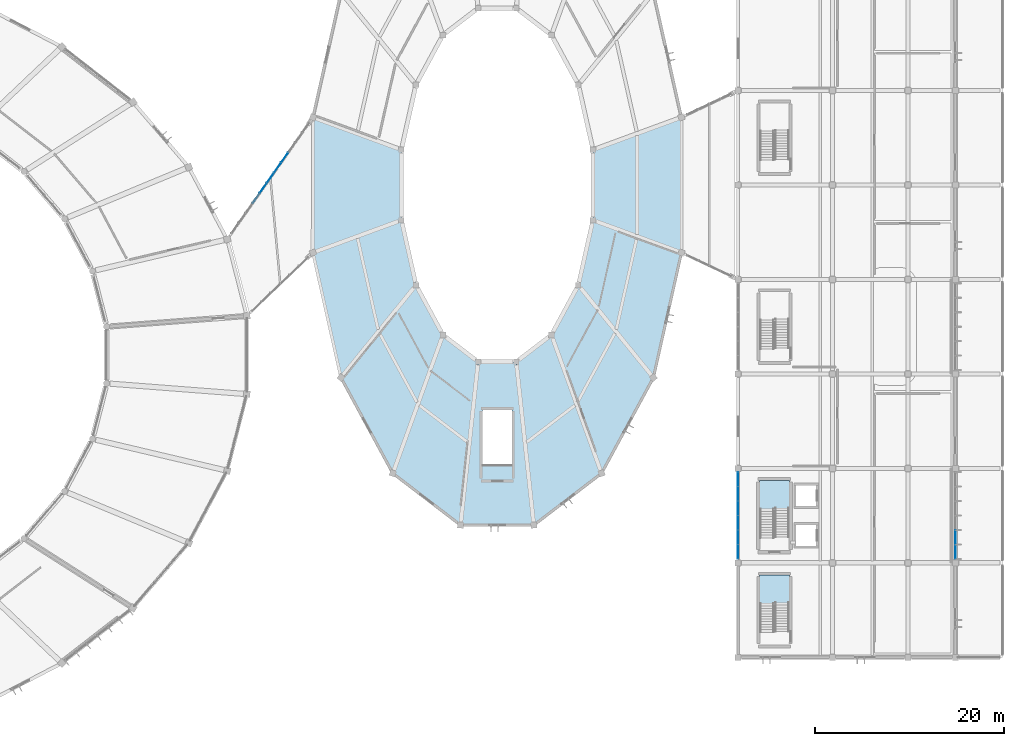
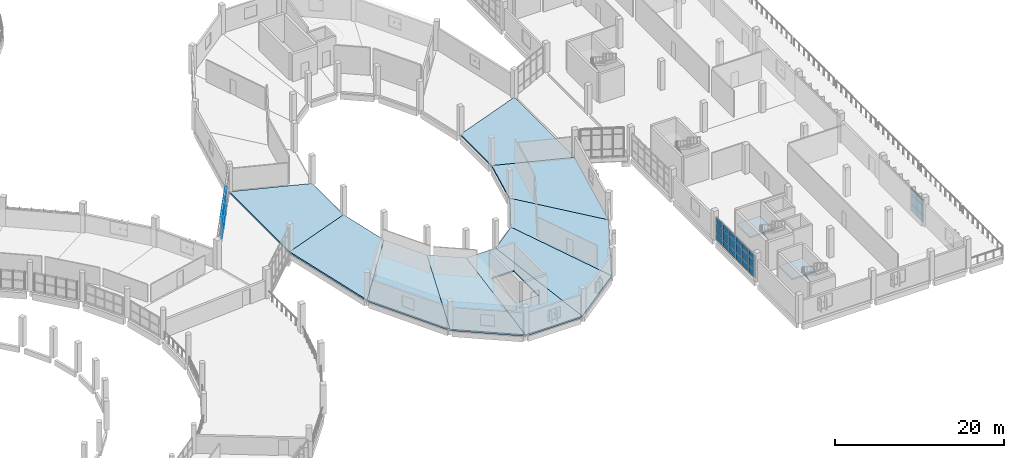
# One storey, part 87 of 142: 37 plates, 11 slabs, 5 elements without a shape of their own.
"""IFC4 building model written with IfcOpenShell, lengths in metres."""

from ifc_helpers import new_model, si_unit, direction, frame, origin, origin_2d, place, context, subcontext, project, spatial, polyline, rectangle, outline, extrude, material, layer, layer_set, type_object, element, aggregate, save


model = new_model("IFC4")

# Units and contexts
model_context = context("Model", 3, precision=1e-05, world=origin(), true_north=direction((0.0, 1.0)))
body_context = subcontext(model_context, "Body", "Model", "MODEL_VIEW")
ifc_project = project(units=[si_unit("LENGTHUNIT", "METRE"), si_unit("AREAUNIT", "SQUARE_METRE"), si_unit("VOLUMEUNIT", "CUBIC_METRE"), si_unit("PLANEANGLEUNIT", "RADIAN"), si_unit("MASSUNIT", "GRAM", prefix="KILO")], contexts=[model_context])

# Site, building, storey
site_placement = place(None, origin())
site = spatial("IfcSite", under=ifc_project, at=site_placement, CompositionType="ELEMENT")
building_placement = place(site_placement, origin())
building = spatial("IfcBuilding", under=site, at=building_placement, Name="Corvandel Quay Wholesale Market", CompositionType="ELEMENT")
storey_placement = place(building_placement, frame((0.0, 0.0, 10.800048828125)))
storey = spatial("IfcBuildingStorey", under=building, at=storey_placement, Name="L02", CompositionType="ELEMENT", Elevation=10.800048828125)

# Curtain wall, plates
ifc_material_1 = material(Name="Bronze anodised aluminium and low-E insulated glazing", Category="aluminium")
ifc_layer_1 = layer(ifc_material_1, 0.197998046875)
ifc_layer_set_1 = layer_set([ifc_layer_1], Name="Bronze anodised aluminium and low-E insulated glazing")
curtain_wall_type_1 = type_object("IfcCurtainWallType", Name="Stick Curtain Wall System CW14 H4260", PredefinedType="NOTDEFINED", material=ifc_layer_set_1)
curtain_wall_1_placement = place(storey_placement, origin())
curtain_wall_1 = element("IfcCurtainWall", 1, at=curtain_wall_1_placement, inside=storey, type_object=curtain_wall_type_1, Name="Curtain Wall CW-0156", PredefinedType="NOTDEFINED")
ifc_material_2 = material(Name="Solar-control low-E insulated glazing", Category="glass")
ifc_layer_2 = layer(ifc_material_2, 0.0400390625)
ifc_layer_set_2 = layer_set([ifc_layer_2], Name="Solar-control low-E insulated glazing")
plate_type_1 = type_object("IfcPlateType", Name="Ceramic Fritted Spandrel Panel PN03 40mm", PredefinedType="CURTAIN_PANEL", material=ifc_layer_set_2)
plate_1_placement = place(storey_placement, frame((243.0, 21.166748046875, 2.530029296875), z_axis=(0.0, 0.0, 1.0), x_axis=(0.0, 1.0, 0.0)))
plate_1 = element("IfcPlate", 2, at=plate_1_placement, type_object=plate_type_1, Name="Glazing Panel CW-0156-P00-2", PredefinedType="CURTAIN_PANEL", context=body_context, shape_type="SweptSolid", body=[
    extrude(rectangle(XDim=1.46826171875, YDim=0.0400390625, at=origin_2d()), origin(), (0.0, 0.0, 1.0), 0.7900390625),
])
plate_2_placement = place(storey_placement, frame((243.0, 22.699951171875, 2.530029296875), z_axis=(0.0, 0.0, 1.0), x_axis=(0.0, 1.0, 0.0)))
plate_2 = element("IfcPlate", 3, at=plate_2_placement, type_object=plate_type_1, Name="Glazing Panel CW-0156-P01-2", PredefinedType="CURTAIN_PANEL", context=body_context, shape_type="SweptSolid", body=[
    extrude(rectangle(XDim=1.46826171875, YDim=0.0400390625, at=origin_2d()), origin(), (0.0, 0.0, 1.0), 0.7900390625),
])

ifc_layer_3 = layer(ifc_material_1, 0.14990234375)
ifc_layer_set_3 = layer_set([ifc_layer_3], Name="Bronze anodised aluminium and low-E insulated glazing")
curtain_wall_type_2 = type_object("IfcCurtainWallType", Name="Stick Curtain Wall System CW20 H4800", PredefinedType="NOTDEFINED", material=ifc_layer_set_3)
curtain_wall_2_placement = place(storey_placement, origin())
curtain_wall_2 = element("IfcCurtainWall", 4, at=curtain_wall_2_placement, inside=storey, type_object=curtain_wall_type_2, Name="Curtain Wall CW-0157", PredefinedType="NOTDEFINED")
plate_3_placement = place(storey_placement, frame((220.0, 21.166748046875, 2.530029296875), z_axis=(0.0, 0.0, 1.0), x_axis=(0.0, 1.0, 0.0)))
plate_3 = element("IfcPlate", 5, at=plate_3_placement, type_object=plate_type_1, Name="Glazing Panel CW-0157-P00-2", PredefinedType="CURTAIN_PANEL", context=body_context, shape_type="SweptSolid", body=[
    extrude(rectangle(XDim=1.46826171875, YDim=0.0400390625, at=origin_2d()), origin(), (0.0, 0.0, 1.0), 0.7900390625),
])
plate_4_placement = place(storey_placement, frame((220.0, 22.699951171875, 2.530029296875), z_axis=(0.0, 0.0, 1.0), x_axis=(0.0, 1.0, 0.0)))
plate_4 = element("IfcPlate", 6, at=plate_4_placement, type_object=plate_type_1, Name="Glazing Panel CW-0157-P01-2", PredefinedType="CURTAIN_PANEL", context=body_context, shape_type="SweptSolid", body=[
    extrude(rectangle(XDim=1.46826171875, YDim=0.0400390625, at=origin_2d()), origin(), (0.0, 0.0, 1.0), 0.7900390625),
])
plate_5_placement = place(storey_placement, frame((220.0, 24.2333984375, 2.530029296875), z_axis=(0.0, 0.0, 1.0), x_axis=(0.0, 1.0, 0.0)))
plate_5 = element("IfcPlate", 7, at=plate_5_placement, type_object=plate_type_1, Name="Glazing Panel CW-0157-P02-2", PredefinedType="CURTAIN_PANEL", context=body_context, shape_type="SweptSolid", body=[
    extrude(rectangle(XDim=1.46826171875, YDim=0.0400390625, at=origin_2d()), origin(), (0.0, 0.0, 1.0), 0.7900390625),
])
plate_6_placement = place(storey_placement, frame((220.0, 25.7666015625, 2.530029296875), z_axis=(0.0, 0.0, 1.0), x_axis=(0.0, 1.0, 0.0)))
plate_6 = element("IfcPlate", 8, at=plate_6_placement, type_object=plate_type_1, Name="Glazing Panel CW-0157-P03-2", PredefinedType="CURTAIN_PANEL", context=body_context, shape_type="SweptSolid", body=[
    extrude(rectangle(XDim=1.46826171875, YDim=0.0400390625, at=origin_2d()), origin(), (0.0, 0.0, 1.0), 0.7900390625),
])
plate_7_placement = place(storey_placement, frame((220.0, 27.300048828125, 2.530029296875), z_axis=(0.0, 0.0, 1.0), x_axis=(0.0, 1.0, 0.0)))
plate_7 = element("IfcPlate", 9, at=plate_7_placement, type_object=plate_type_1, Name="Glazing Panel CW-0157-P04-2", PredefinedType="CURTAIN_PANEL", context=body_context, shape_type="SweptSolid", body=[
    extrude(rectangle(XDim=1.46826171875, YDim=0.0400390625, at=origin_2d()), origin(), (0.0, 0.0, 1.0), 0.7900390625),
])
plate_8_placement = place(storey_placement, frame((220.0, 28.833251953125, 2.530029296875), z_axis=(0.0, 0.0, 1.0), x_axis=(0.0, 1.0, 0.0)))
plate_8 = element("IfcPlate", 10, at=plate_8_placement, type_object=plate_type_1, Name="Glazing Panel CW-0157-P05-2", PredefinedType="CURTAIN_PANEL", context=body_context, shape_type="SweptSolid", body=[
    extrude(rectangle(XDim=1.46826171875, YDim=0.0400390625, at=origin_2d()), origin(), (0.0, 0.0, 1.0), 0.7900390625),
])

curtain_wall_3_placement = place(storey_placement, origin())
curtain_wall_3 = element("IfcCurtainWall", 11, at=curtain_wall_3_placement, inside=storey, type_object=curtain_wall_type_2, Name="Curtain Wall CW-0179", PredefinedType="NOTDEFINED")
plate_9_placement = place(storey_placement, frame((168.99072265625, 58.6123046875, 3.1474609375), z_axis=(0.0, 0.0, 1.0), x_axis=(0.575148037348, 0.818049347616, 0.0)))
plate_9 = element("IfcPlate", 12, at=plate_9_placement, type_object=plate_type_1, Name="Glazing Panel CW-0179-P03-2", PredefinedType="CURTAIN_PANEL", context=body_context, shape_type="SweptSolid", body=[
    extrude(rectangle(XDim=1.24462890625, YDim=0.0400390625, at=origin_2d()), origin(), (0.0, 0.0, 1.0), 0.794921875),
])
plate_10_placement = place(storey_placement, frame((169.740966796875, 59.6796875, 3.1474609375), z_axis=(0.0, 0.0, 1.0), x_axis=(0.575148037348, 0.818049347616, 0.0)))
plate_10 = element("IfcPlate", 13, at=plate_10_placement, type_object=plate_type_1, Name="Glazing Panel CW-0179-P04-2", PredefinedType="CURTAIN_PANEL", context=body_context, shape_type="SweptSolid", body=[
    extrude(rectangle(XDim=1.24462890625, YDim=0.0400390625, at=origin_2d()), origin(), (0.0, 0.0, 1.0), 0.794921875),
])
plate_11_placement = place(storey_placement, frame((170.4912109375, 60.746826171875, 3.1474609375), z_axis=(0.0, 0.0, 1.0), x_axis=(0.575148037348, 0.818049347616, 0.0)))
plate_11 = element("IfcPlate", 14, at=plate_11_placement, type_object=plate_type_1, Name="Glazing Panel CW-0179-P05-2", PredefinedType="CURTAIN_PANEL", context=body_context, shape_type="SweptSolid", body=[
    extrude(rectangle(XDim=1.24462890625, YDim=0.0400390625, at=origin_2d()), origin(), (0.0, 0.0, 1.0), 0.794921875),
])
plate_12_placement = place(storey_placement, frame((171.241455078125, 61.814208984375, 3.1474609375), z_axis=(0.0, 0.0, 1.0), x_axis=(0.575148037348, 0.818049347616, 0.0)))
plate_12 = element("IfcPlate", 15, at=plate_12_placement, type_object=plate_type_1, Name="Glazing Panel CW-0179-P06-2", PredefinedType="CURTAIN_PANEL", context=body_context, shape_type="SweptSolid", body=[
    extrude(rectangle(XDim=1.24462890625, YDim=0.0400390625, at=origin_2d()), origin(), (0.0, 0.0, 1.0), 0.794921875),
])
plate_13_placement = place(storey_placement, frame((171.99169921875, 62.88134765625, 3.1474609375), z_axis=(0.0, 0.0, 1.0), x_axis=(0.575148037348, 0.818049347616, 0.0)))
plate_13 = element("IfcPlate", 16, at=plate_13_placement, type_object=plate_type_1, Name="Glazing Panel CW-0179-P07-2", PredefinedType="CURTAIN_PANEL", context=body_context, shape_type="SweptSolid", body=[
    extrude(rectangle(XDim=1.24462890625, YDim=0.0400390625, at=origin_2d()), origin(), (0.0, 0.0, 1.0), 0.794921875),
])

# Slabs
ifc_material_3 = material(Name="Precast concrete C45/55", Category="concrete")
ifc_layer_4 = layer(ifc_material_3, 0.219970703125)
ifc_layer_set_4 = layer_set([ifc_layer_4], Name="Precast concrete C45/55")
slab_type_1 = type_object("IfcSlabType", Name="Composite Precast Office Floor Slab 220", PredefinedType="FLOOR", material=ifc_layer_set_4)
slab_1_placement = place(storey_placement, frame((0.0, 0.0, -0.219970703125)))
element("IfcSlab", 17, at=slab_1_placement, inside=storey, type_object=slab_type_1, Name="Slab SLB-0413", PredefinedType="FLOOR", context=body_context, shape_type="SweptSolid", body=[
    extrude(outline(polyline([(184.360107421875, 63.72412109375), (184.360107421875, 56.27587890625), (175.0, 52.839111328125), (175.0, 67.160888671875), (184.360107421875, 63.72412109375)])), origin(), (0.0, 0.0, 1.0), 0.219970703125),
])
slab_2_placement = place(storey_placement, frame((0.0, 0.0, -0.219970703125)))
element("IfcSlab", 18, at=slab_2_placement, inside=storey, type_object=slab_type_1, Name="Slab SLB-0417", PredefinedType="FLOOR", context=body_context, shape_type="SweptSolid", body=[
    extrude(outline(polyline([(184.360107421875, 56.27587890625), (185.904052734375, 49.39599609375), (177.968994140625, 39.60791015625), (175.0, 52.839111328125), (184.360107421875, 56.27587890625)])), origin(), (0.0, 0.0, 1.0), 0.219970703125),
])
slab_3_placement = place(storey_placement, frame((0.0, 0.0, -0.219970703125)))
element("IfcSlab", 19, at=slab_3_placement, inside=storey, type_object=slab_type_1, Name="Slab SLB-0421", PredefinedType="FLOOR", context=body_context, shape_type="SweptSolid", body=[
    extrude(outline(polyline([(185.904052734375, 49.39599609375), (188.756103515625, 44.1298828125), (183.4541015625, 29.48095703125), (177.968994140625, 39.60791015625), (185.904052734375, 49.39599609375)])), origin(), (0.0, 0.0, 1.0), 0.219970703125),
])
slab_4_placement = place(storey_placement, frame((0.0, 0.0, -0.219970703125)))
element("IfcSlab", 20, at=slab_4_placement, inside=storey, type_object=slab_type_1, Name="Slab SLB-0425", PredefinedType="FLOOR", context=body_context, shape_type="SweptSolid", body=[
    extrude(outline(polyline([(188.756103515625, 44.1298828125), (192.48291015625, 41.280029296875), (190.62109375, 24.0), (183.4541015625, 29.48095703125), (188.756103515625, 44.1298828125)])), origin(), (0.0, 0.0, 1.0), 0.219970703125),
])
slab_5_placement = place(storey_placement, frame((0.0, 0.0, -0.219970703125)))
element("IfcSlab", 21, at=slab_5_placement, inside=storey, type_object=slab_type_1, Name="Slab SLB-0429", PredefinedType="FLOOR", context=body_context, shape_type="SweptSolid", body=[
    extrude(outline(polyline([(192.48291015625, 41.280029296875), (196.51708984375, 41.280029296875), (198.37890625, 24.0), (190.62109375, 24.0), (192.48291015625, 41.280029296875)]), holes=[polyline([(196.050048828125, 30.300048828125), (196.050048828125, 36.199951171875), (192.949951171875, 36.199951171875), (192.949951171875, 30.300048828125), (196.050048828125, 30.300048828125)])]), origin(), (0.0, 0.0, 1.0), 0.219970703125),
])
slab_6_placement = place(storey_placement, frame((0.0, 0.0, -0.219970703125)))
element("IfcSlab", 22, at=slab_6_placement, inside=storey, type_object=slab_type_1, Name="Slab SLB-0433", PredefinedType="FLOOR", context=body_context, shape_type="SweptSolid", body=[
    extrude(outline(polyline([(196.51708984375, 41.280029296875), (200.243896484375, 44.1298828125), (205.5458984375, 29.48095703125), (198.37890625, 24.0), (196.51708984375, 41.280029296875)])), origin(), (0.0, 0.0, 1.0), 0.219970703125),
])
slab_7_placement = place(storey_placement, frame((0.0, 0.0, -0.219970703125)))
element("IfcSlab", 23, at=slab_7_placement, inside=storey, type_object=slab_type_1, Name="Slab SLB-0437", PredefinedType="FLOOR", context=body_context, shape_type="SweptSolid", body=[
    extrude(outline(polyline([(200.243896484375, 44.1298828125), (203.095947265625, 49.39599609375), (211.031005859375, 39.60791015625), (205.5458984375, 29.48095703125), (200.243896484375, 44.1298828125)])), origin(), (0.0, 0.0, 1.0), 0.219970703125),
])
slab_8_placement = place(storey_placement, frame((0.0, 0.0, -0.219970703125)))
element("IfcSlab", 24, at=slab_8_placement, inside=storey, type_object=slab_type_1, Name="Slab SLB-0441", PredefinedType="FLOOR", context=body_context, shape_type="SweptSolid", body=[
    extrude(outline(polyline([(203.095947265625, 49.39599609375), (204.639892578125, 56.27587890625), (214.0, 52.839111328125), (211.031005859375, 39.60791015625), (203.095947265625, 49.39599609375)])), origin(), (0.0, 0.0, 1.0), 0.219970703125),
])
slab_9_placement = place(storey_placement, frame((0.0, 0.0, -0.219970703125)))
element("IfcSlab", 25, at=slab_9_placement, inside=storey, type_object=slab_type_1, Name="Slab SLB-0445", PredefinedType="FLOOR", context=body_context, shape_type="SweptSolid", body=[
    extrude(outline(polyline([(204.639892578125, 56.27587890625), (204.639892578125, 63.72412109375), (214.0, 67.160888671875), (214.0, 52.839111328125), (204.639892578125, 56.27587890625)])), origin(), (0.0, 0.0, 1.0), 0.219970703125),
])

# Plate
ifc_layer_5 = layer(ifc_material_2, 0.028076171875)
ifc_layer_set_5 = layer_set([ifc_layer_5], Name="Solar-control low-E insulated glazing")
plate_type_2 = type_object("IfcPlateType", Name="Double Low-E Vision Panel PN01 28mm", PredefinedType="CURTAIN_PANEL", material=ifc_layer_set_5)
plate_14_placement = place(storey_placement, frame((243.0, 21.166748046875, 0.02978515625), z_axis=(0.0, 0.0, 1.0), x_axis=(0.0, 1.0, 0.0)))
plate_14 = element("IfcPlate", 26, at=plate_14_placement, type_object=plate_type_2, Name="Glazing Panel CW-0156-P00-0", PredefinedType="CURTAIN_PANEL", context=body_context, shape_type="SweptSolid", body=[
    extrude(rectangle(XDim=1.46826171875, YDim=0.028076171875, at=origin_2d()), origin(), (0.0, 0.0, 1.0), 0.989990234375),
])

plate_15_placement = place(storey_placement, frame((243.0, 21.166748046875, 1.080078125), z_axis=(0.0, 0.0, 1.0), x_axis=(0.0, 1.0, 0.0)))
plate_15 = element("IfcPlate", 27, at=plate_15_placement, type_object=plate_type_2, Name="Glazing Panel CW-0156-P00-1", PredefinedType="CURTAIN_PANEL", context=body_context, shape_type="SweptSolid", body=[
    extrude(rectangle(XDim=1.46826171875, YDim=0.028076171875, at=origin_2d()), origin(), (0.0, 0.0, 1.0), 1.389892578125),
])

plate_16_placement = place(storey_placement, frame((243.0, 22.699951171875, 0.02978515625), z_axis=(0.0, 0.0, 1.0), x_axis=(0.0, 1.0, 0.0)))
plate_16 = element("IfcPlate", 28, at=plate_16_placement, type_object=plate_type_2, Name="Glazing Panel CW-0156-P01-0", PredefinedType="CURTAIN_PANEL", context=body_context, shape_type="SweptSolid", body=[
    extrude(rectangle(XDim=1.46826171875, YDim=0.028076171875, at=origin_2d()), origin(), (0.0, 0.0, 1.0), 0.989990234375),
])

plate_17_placement = place(storey_placement, frame((243.0, 22.699951171875, 1.080078125), z_axis=(0.0, 0.0, 1.0), x_axis=(0.0, 1.0, 0.0)))
plate_17 = element("IfcPlate", 29, at=plate_17_placement, type_object=plate_type_2, Name="Glazing Panel CW-0156-P01-1", PredefinedType="CURTAIN_PANEL", context=body_context, shape_type="SweptSolid", body=[
    extrude(rectangle(XDim=1.46826171875, YDim=0.028076171875, at=origin_2d()), origin(), (0.0, 0.0, 1.0), 1.389892578125),
])

aggregate(curtain_wall_1, [plate_14, plate_15, plate_1, plate_16, plate_17, plate_2])

plate_18_placement = place(storey_placement, frame((220.0, 21.166748046875, 0.02978515625), z_axis=(0.0, 0.0, 1.0), x_axis=(0.0, 1.0, 0.0)))
plate_18 = element("IfcPlate", 30, at=plate_18_placement, type_object=plate_type_2, Name="Glazing Panel CW-0157-P00-0", PredefinedType="CURTAIN_PANEL", context=body_context, shape_type="SweptSolid", body=[
    extrude(rectangle(XDim=1.46826171875, YDim=0.028076171875, at=origin_2d()), origin(), (0.0, 0.0, 1.0), 0.989990234375),
])

plate_19_placement = place(storey_placement, frame((220.0, 21.166748046875, 1.080078125), z_axis=(0.0, 0.0, 1.0), x_axis=(0.0, 1.0, 0.0)))
plate_19 = element("IfcPlate", 31, at=plate_19_placement, type_object=plate_type_2, Name="Glazing Panel CW-0157-P00-1", PredefinedType="CURTAIN_PANEL", context=body_context, shape_type="SweptSolid", body=[
    extrude(rectangle(XDim=1.46826171875, YDim=0.028076171875, at=origin_2d()), origin(), (0.0, 0.0, 1.0), 1.389892578125),
])

plate_20_placement = place(storey_placement, frame((220.0, 22.699951171875, 0.02978515625), z_axis=(0.0, 0.0, 1.0), x_axis=(0.0, 1.0, 0.0)))
plate_20 = element("IfcPlate", 32, at=plate_20_placement, type_object=plate_type_2, Name="Glazing Panel CW-0157-P01-0", PredefinedType="CURTAIN_PANEL", context=body_context, shape_type="SweptSolid", body=[
    extrude(rectangle(XDim=1.46826171875, YDim=0.028076171875, at=origin_2d()), origin(), (0.0, 0.0, 1.0), 0.989990234375),
])

plate_21_placement = place(storey_placement, frame((220.0, 22.699951171875, 1.080078125), z_axis=(0.0, 0.0, 1.0), x_axis=(0.0, 1.0, 0.0)))
plate_21 = element("IfcPlate", 33, at=plate_21_placement, type_object=plate_type_2, Name="Glazing Panel CW-0157-P01-1", PredefinedType="CURTAIN_PANEL", context=body_context, shape_type="SweptSolid", body=[
    extrude(rectangle(XDim=1.46826171875, YDim=0.028076171875, at=origin_2d()), origin(), (0.0, 0.0, 1.0), 1.389892578125),
])

plate_22_placement = place(storey_placement, frame((220.0, 24.2333984375, 0.02978515625), z_axis=(0.0, 0.0, 1.0), x_axis=(0.0, 1.0, 0.0)))
plate_22 = element("IfcPlate", 34, at=plate_22_placement, type_object=plate_type_2, Name="Glazing Panel CW-0157-P02-0", PredefinedType="CURTAIN_PANEL", context=body_context, shape_type="SweptSolid", body=[
    extrude(rectangle(XDim=1.46826171875, YDim=0.028076171875, at=origin_2d()), origin(), (0.0, 0.0, 1.0), 0.989990234375),
])

plate_23_placement = place(storey_placement, frame((220.0, 24.2333984375, 1.080078125), z_axis=(0.0, 0.0, 1.0), x_axis=(0.0, 1.0, 0.0)))
plate_23 = element("IfcPlate", 35, at=plate_23_placement, type_object=plate_type_2, Name="Glazing Panel CW-0157-P02-1", PredefinedType="CURTAIN_PANEL", context=body_context, shape_type="SweptSolid", body=[
    extrude(rectangle(XDim=1.46826171875, YDim=0.028076171875, at=origin_2d()), origin(), (0.0, 0.0, 1.0), 1.389892578125),
])

plate_24_placement = place(storey_placement, frame((220.0, 25.7666015625, 0.02978515625), z_axis=(0.0, 0.0, 1.0), x_axis=(0.0, 1.0, 0.0)))
plate_24 = element("IfcPlate", 36, at=plate_24_placement, type_object=plate_type_2, Name="Glazing Panel CW-0157-P03-0", PredefinedType="CURTAIN_PANEL", context=body_context, shape_type="SweptSolid", body=[
    extrude(rectangle(XDim=1.46826171875, YDim=0.028076171875, at=origin_2d()), origin(), (0.0, 0.0, 1.0), 0.989990234375),
])

plate_25_placement = place(storey_placement, frame((220.0, 25.7666015625, 1.080078125), z_axis=(0.0, 0.0, 1.0), x_axis=(0.0, 1.0, 0.0)))
plate_25 = element("IfcPlate", 37, at=plate_25_placement, type_object=plate_type_2, Name="Glazing Panel CW-0157-P03-1", PredefinedType="CURTAIN_PANEL", context=body_context, shape_type="SweptSolid", body=[
    extrude(rectangle(XDim=1.46826171875, YDim=0.028076171875, at=origin_2d()), origin(), (0.0, 0.0, 1.0), 1.389892578125),
])

plate_26_placement = place(storey_placement, frame((220.0, 27.300048828125, 0.02978515625), z_axis=(0.0, 0.0, 1.0), x_axis=(0.0, 1.0, 0.0)))
plate_26 = element("IfcPlate", 38, at=plate_26_placement, type_object=plate_type_2, Name="Glazing Panel CW-0157-P04-0", PredefinedType="CURTAIN_PANEL", context=body_context, shape_type="SweptSolid", body=[
    extrude(rectangle(XDim=1.46826171875, YDim=0.028076171875, at=origin_2d()), origin(), (0.0, 0.0, 1.0), 0.989990234375),
])

plate_27_placement = place(storey_placement, frame((220.0, 27.300048828125, 1.080078125), z_axis=(0.0, 0.0, 1.0), x_axis=(0.0, 1.0, 0.0)))
plate_27 = element("IfcPlate", 39, at=plate_27_placement, type_object=plate_type_2, Name="Glazing Panel CW-0157-P04-1", PredefinedType="CURTAIN_PANEL", context=body_context, shape_type="SweptSolid", body=[
    extrude(rectangle(XDim=1.46826171875, YDim=0.028076171875, at=origin_2d()), origin(), (0.0, 0.0, 1.0), 1.389892578125),
])

plate_28_placement = place(storey_placement, frame((220.0, 28.833251953125, 0.02978515625), z_axis=(0.0, 0.0, 1.0), x_axis=(0.0, 1.0, 0.0)))
plate_28 = element("IfcPlate", 40, at=plate_28_placement, type_object=plate_type_2, Name="Glazing Panel CW-0157-P05-0", PredefinedType="CURTAIN_PANEL", context=body_context, shape_type="SweptSolid", body=[
    extrude(rectangle(XDim=1.46826171875, YDim=0.028076171875, at=origin_2d()), origin(), (0.0, 0.0, 1.0), 0.989990234375),
])

plate_29_placement = place(storey_placement, frame((220.0, 28.833251953125, 1.080078125), z_axis=(0.0, 0.0, 1.0), x_axis=(0.0, 1.0, 0.0)))
plate_29 = element("IfcPlate", 41, at=plate_29_placement, type_object=plate_type_2, Name="Glazing Panel CW-0157-P05-1", PredefinedType="CURTAIN_PANEL", context=body_context, shape_type="SweptSolid", body=[
    extrude(rectangle(XDim=1.46826171875, YDim=0.028076171875, at=origin_2d()), origin(), (0.0, 0.0, 1.0), 1.389892578125),
])

aggregate(curtain_wall_2, [plate_18, plate_19, plate_3, plate_20, plate_21, plate_4, plate_22, plate_23, plate_5, plate_24, plate_25, plate_6, plate_26, plate_27, plate_7, plate_28, plate_29, plate_8])

plate_30_placement = place(storey_placement, frame((169.740966796875, 59.6796875, -0.002685546875), z_axis=(0.0, 0.0, 1.0), x_axis=(0.575148037348, 0.818049347616, 0.0)))
plate_30 = element("IfcPlate", 42, at=plate_30_placement, type_object=plate_type_2, Name="Glazing Panel CW-0179-P04-0", PredefinedType="CURTAIN_PANEL", context=body_context, shape_type="SweptSolid", body=[
    extrude(rectangle(XDim=1.24462890625, YDim=0.028076171875, at=origin_2d()), origin(), (0.0, 0.0, 1.0), 0.9951171875),
])

plate_31_placement = place(storey_placement, frame((169.740966796875, 59.6796875, 1.047607421875), z_axis=(0.0, 0.0, 1.0), x_axis=(0.575148037348, 0.818049347616, 0.0)))
plate_31 = element("IfcPlate", 43, at=plate_31_placement, type_object=plate_type_2, Name="Glazing Panel CW-0179-P04-1", PredefinedType="CURTAIN_PANEL", context=body_context, shape_type="SweptSolid", body=[
    extrude(rectangle(XDim=1.24462890625, YDim=0.028076171875, at=origin_2d()), origin(), (0.0, 0.0, 1.0), 2.044921875),
])

plate_32_placement = place(storey_placement, frame((170.4912109375, 60.746826171875, -0.002685546875), z_axis=(0.0, 0.0, 1.0), x_axis=(0.575148037348, 0.818049347616, 0.0)))
plate_32 = element("IfcPlate", 44, at=plate_32_placement, type_object=plate_type_2, Name="Glazing Panel CW-0179-P05-0", PredefinedType="CURTAIN_PANEL", context=body_context, shape_type="SweptSolid", body=[
    extrude(rectangle(XDim=1.24462890625, YDim=0.028076171875, at=origin_2d()), origin(), (0.0, 0.0, 1.0), 0.9951171875),
])

plate_33_placement = place(storey_placement, frame((170.4912109375, 60.746826171875, 1.047607421875), z_axis=(0.0, 0.0, 1.0), x_axis=(0.575148037348, 0.818049347616, 0.0)))
plate_33 = element("IfcPlate", 45, at=plate_33_placement, type_object=plate_type_2, Name="Glazing Panel CW-0179-P05-1", PredefinedType="CURTAIN_PANEL", context=body_context, shape_type="SweptSolid", body=[
    extrude(rectangle(XDim=1.24462890625, YDim=0.028076171875, at=origin_2d()), origin(), (0.0, 0.0, 1.0), 2.044921875),
])

plate_34_placement = place(storey_placement, frame((171.241455078125, 61.814208984375, -0.002685546875), z_axis=(0.0, 0.0, 1.0), x_axis=(0.575148037348, 0.818049347616, 0.0)))
plate_34 = element("IfcPlate", 46, at=plate_34_placement, type_object=plate_type_2, Name="Glazing Panel CW-0179-P06-0", PredefinedType="CURTAIN_PANEL", context=body_context, shape_type="SweptSolid", body=[
    extrude(rectangle(XDim=1.24462890625, YDim=0.028076171875, at=origin_2d()), origin(), (0.0, 0.0, 1.0), 0.9951171875),
])

plate_35_placement = place(storey_placement, frame((171.241455078125, 61.814208984375, 1.047607421875), z_axis=(0.0, 0.0, 1.0), x_axis=(0.575148037348, 0.818049347616, 0.0)))
plate_35 = element("IfcPlate", 47, at=plate_35_placement, type_object=plate_type_2, Name="Glazing Panel CW-0179-P06-1", PredefinedType="CURTAIN_PANEL", context=body_context, shape_type="SweptSolid", body=[
    extrude(rectangle(XDim=1.24462890625, YDim=0.028076171875, at=origin_2d()), origin(), (0.0, 0.0, 1.0), 2.044921875),
])

plate_36_placement = place(storey_placement, frame((171.99169921875, 62.88134765625, -0.002685546875), z_axis=(0.0, 0.0, 1.0), x_axis=(0.575148037348, 0.818049347616, 0.0)))
plate_36 = element("IfcPlate", 48, at=plate_36_placement, type_object=plate_type_2, Name="Glazing Panel CW-0179-P07-0", PredefinedType="CURTAIN_PANEL", context=body_context, shape_type="SweptSolid", body=[
    extrude(rectangle(XDim=1.24462890625, YDim=0.028076171875, at=origin_2d()), origin(), (0.0, 0.0, 1.0), 0.9951171875),
])

plate_37_placement = place(storey_placement, frame((171.99169921875, 62.88134765625, 1.047607421875), z_axis=(0.0, 0.0, 1.0), x_axis=(0.575148037348, 0.818049347616, 0.0)))
plate_37 = element("IfcPlate", 49, at=plate_37_placement, type_object=plate_type_2, Name="Glazing Panel CW-0179-P07-1", PredefinedType="CURTAIN_PANEL", context=body_context, shape_type="SweptSolid", body=[
    extrude(rectangle(XDim=1.24462890625, YDim=0.028076171875, at=origin_2d()), origin(), (0.0, 0.0, 1.0), 2.044921875),
])

aggregate(curtain_wall_3, [plate_9, plate_30, plate_31, plate_10, plate_32, plate_33, plate_11, plate_34, plate_35, plate_12, plate_36, plate_37, plate_13])

# Stair, slab
ifc_material_4 = material(Name="Concrete C40/50", Category="concrete")
stair_type = type_object("IfcStairType", Name="Exit Stair Two-Return L02-L03 ST03", PredefinedType="USERDEFINED", material=ifc_material_4)
stair_1_placement = place(storey_placement, origin())
stair_1 = element("IfcStair", 50, at=stair_1_placement, inside=storey, type_object=stair_type, Name="Exit Stair STR-028", ObjectType="TWO_RETURN_STAIR", PredefinedType="USERDEFINED")
ifc_layer_6 = layer(ifc_material_4, 0.219970703125)
ifc_layer_set_6 = layer_set([ifc_layer_6], Name="Concrete C40/50")
slab_type_2 = type_object("IfcSlabType", Name="Precast Stair Landing LND03 220", PredefinedType="LANDING", material=ifc_layer_set_6)
slab_10_placement = place(storey_placement, frame((0.0, 0.0, 1.8798828125)))
slab_10 = element("IfcSlab", 51, at=slab_10_placement, type_object=slab_type_2, Name="Stair Landing STR-028-LND", PredefinedType="LANDING", context=body_context, shape_type="SweptSolid", body=[
    extrude(outline(polyline([(222.260009765625, 25.6298828125), (225.43994140625, 25.6298828125), (225.43994140625, 28.739990234375), (222.260009765625, 28.739990234375), (222.260009765625, 25.6298828125)])), origin(), (0.0, 0.0, 1.0), 0.219970703125),
])
aggregate(stair_1, [slab_10])

stair_2_placement = place(storey_placement, origin())
stair_2 = element("IfcStair", 52, at=stair_2_placement, inside=storey, type_object=stair_type, Name="Exit Stair STR-037", ObjectType="TWO_RETURN_STAIR", PredefinedType="USERDEFINED")
slab_11_placement = place(storey_placement, frame((0.0, 0.0, 1.8798828125)))
slab_11 = element("IfcSlab", 53, at=slab_11_placement, type_object=slab_type_2, Name="Stair Landing STR-037-LND", PredefinedType="LANDING", context=body_context, shape_type="SweptSolid", body=[
    extrude(outline(polyline([(222.260009765625, 15.6298828125), (225.43994140625, 15.6298828125), (225.43994140625, 18.739990234375), (222.260009765625, 18.739990234375), (222.260009765625, 15.6298828125)])), origin(), (0.0, 0.0, 1.0), 0.219970703125),
])
aggregate(stair_2, [slab_11])

save(model, "model.ifc")
